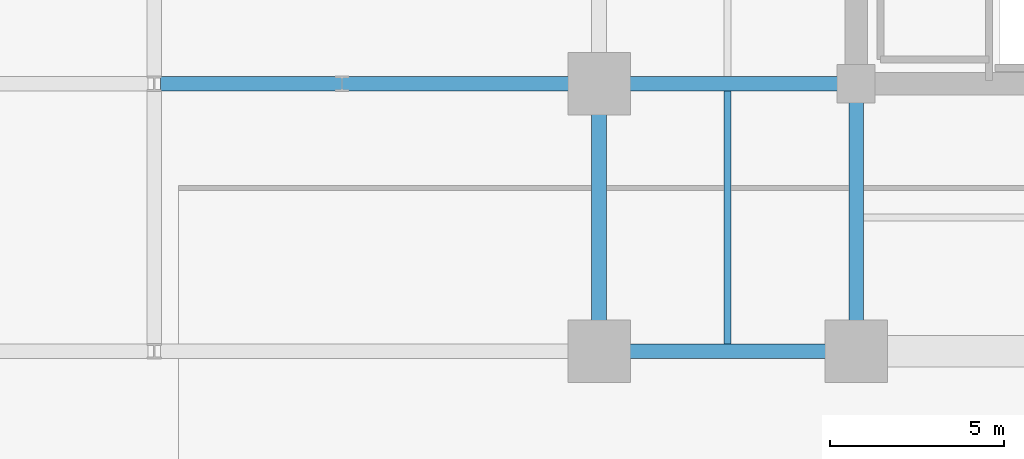
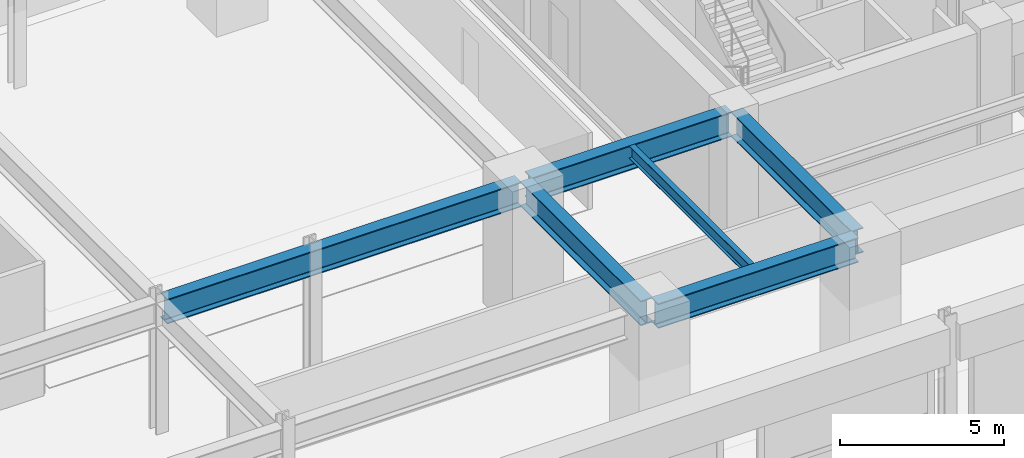
# One storey, part 8 of 43: 6 beams.
"""IFC4 building model written with IfcOpenShell, lengths in metres."""

from ifc_helpers import new_model, si_unit, direction, frame, origin, origin_2d, place, context, subcontext, project, spatial, i_section, extrude, material, material_profile, profile_set, type_object, element, save


model = new_model("IFC4")

# Units and contexts
model_context = context("Model", 3, precision=1e-05, world=origin(), true_north=direction((0.0, 1.0)))
body_context = subcontext(model_context, "Body", "Model", "MODEL_VIEW")
ifc_project = project(units=[si_unit("LENGTHUNIT", "METRE"), si_unit("AREAUNIT", "SQUARE_METRE"), si_unit("VOLUMEUNIT", "CUBIC_METRE"), si_unit("PLANEANGLEUNIT", "RADIAN"), si_unit("MASSUNIT", "GRAM", prefix="KILO")], contexts=[model_context])

# Site, building, storey
site_placement = place(None, origin())
site = spatial("IfcSite", under=ifc_project, at=site_placement, CompositionType="ELEMENT")
building_placement = place(site_placement, origin())
building = spatial("IfcBuilding", under=site, at=building_placement, Name="Kovane Verandah Tower", CompositionType="ELEMENT")
storey_placement = place(building_placement, frame((0.0, 0.0, 11.199951171875)))
storey = spatial("IfcBuildingStorey", under=building, at=storey_placement, Name="L02", CompositionType="ELEMENT", Elevation=11.199951171875)

# Beams
ifc_material_1 = material(Name="Steel S460", Category="steel")
ifc_material_profile_1 = material_profile(ifc_material_1, i_section(OverallWidth=0.42041015625, OverallDepth=0.9208984375, WebThickness=0.021484375, FlangeThickness=0.03662109375, FilletRadius=0.024169921875, at=origin_2d()), Name="UB914x419x388")
ifc_profile_set_1 = profile_set([ifc_material_profile_1], Name="Steel S460")
beam_type_1 = type_object("IfcBeamType", Name="BM-UB914x388", PredefinedType="BEAM", material=ifc_profile_set_1)
beam_1_placement = place(storey_placement, frame((21.780029296875, 10.800048828125, 4.45947265625), z_axis=(1.0, 0.0, 0.0), x_axis=(0.0, 1.0, 0.0)))
element("IfcBeam", 1, at=beam_1_placement, inside=storey, type_object=beam_type_1, Name="L02 Primary Tower Girder G-RS1", PredefinedType="BEAM", context=body_context, shape_type="SweptSolid", body=[
    extrude(i_section(OverallWidth=0.42041015625, OverallDepth=0.9208984375, WebThickness=0.021484375, FlangeThickness=0.03662109375, FilletRadius=0.024169921875, at=origin_2d()), origin(), (0.0, 0.0, 1.0), 7.0400390625),
])
beam_2_placement = place(storey_placement, frame((21.60009765625, 10.97998046875, 4.45947265625), z_axis=(0.0, 1.0, 0.0), x_axis=(-1.0, 0.0, 0.0)))
element("IfcBeam", 2, at=beam_2_placement, inside=storey, type_object=beam_type_1, Name="L02 Primary Tower Girder G-RW1", PredefinedType="BEAM", context=body_context, shape_type="SweptSolid", body=[
    extrude(i_section(OverallWidth=0.42041015625, OverallDepth=0.9208984375, WebThickness=0.021484375, FlangeThickness=0.03662109375, FilletRadius=0.024169921875, at=origin_2d()), origin(), (0.0, 0.0, 1.0), 7.340087890625),
])
beam_3_placement = place(storey_placement, frame((28.820068359375, 18.5, 4.45947265625), z_axis=(-1.0, 0.0, 0.0), x_axis=(0.0, -1.0, 0.0)))
element("IfcBeam", 3, at=beam_3_placement, inside=storey, type_object=beam_type_1, Name="L02 Primary Tower Girder G-W1", PredefinedType="BEAM", context=body_context, shape_type="SweptSolid", body=[
    extrude(i_section(OverallWidth=0.42041015625, OverallDepth=0.9208984375, WebThickness=0.021484375, FlangeThickness=0.03662109375, FilletRadius=0.024169921875, at=origin_2d()), origin(), (0.0, 0.0, 1.0), 7.0400390625),
])
beam_4_placement = place(storey_placement, frame((29.0, 18.320068359375, 4.45947265625), z_axis=(0.0, -1.0, 0.0), x_axis=(1.0, 0.0, 0.0)))
element("IfcBeam", 4, at=beam_4_placement, inside=storey, type_object=beam_type_1, Name="L02 Primary Tower Girder G-S1", PredefinedType="BEAM", context=body_context, shape_type="SweptSolid", body=[
    extrude(i_section(OverallWidth=0.42041015625, OverallDepth=0.9208984375, WebThickness=0.021484375, FlangeThickness=0.03662109375, FilletRadius=0.024169921875, at=origin_2d()), origin(), (0.0, 0.0, 1.0), 7.340087890625),
])
beam_5_placement = place(storey_placement, frame((8.97998046875, 18.5, 4.439453125), z_axis=(1.0, 0.0, 0.0), x_axis=(0.0, 1.0, 0.0)))
element("IfcBeam", 5, at=beam_5_placement, inside=storey, type_object=beam_type_1, Name="L02 Podium Grid Girder X06", PredefinedType="BEAM", context=body_context, shape_type="SweptSolid", body=[
    extrude(i_section(OverallWidth=0.42041015625, OverallDepth=0.9208984375, WebThickness=0.021484375, FlangeThickness=0.03662109375, FilletRadius=0.024169921875, at=origin_2d()), origin(), (0.0, 0.0, 1.0), 12.43994140625),
])
ifc_material_2 = material(Name="Steel S355", Category="steel")
ifc_material_profile_2 = material_profile(ifc_material_2, i_section(OverallWidth=0.19287109375, OverallDepth=0.46728515625, WebThickness=0.011474609375, FlangeThickness=0.01953125, FilletRadius=0.01025390625, at=origin_2d()), Name="UB457x191x98")
ifc_profile_set_2 = profile_set([ifc_material_profile_2], Name="Steel S355")
beam_type_2 = type_object("IfcBeamType", Name="JST-UB457x98", PredefinedType="JOIST", material=ifc_profile_set_2)
beam_6_placement = place(storey_placement, frame((25.300048828125, 11.00830078125, 4.6865234375), z_axis=(0.0, 1.0, 0.0), x_axis=(-1.0, 0.0, 0.0)))
element("IfcBeam", 6, at=beam_6_placement, inside=storey, type_object=beam_type_2, Name="L02 Secondary Composite Joist J-SW1", PredefinedType="JOIST", context=body_context, shape_type="SweptSolid", body=[
    extrude(i_section(OverallWidth=0.19287109375, OverallDepth=0.46728515625, WebThickness=0.011474609375, FlangeThickness=0.01953125, FilletRadius=0.01025390625, at=origin_2d()), origin(), (0.0, 0.0, 1.0), 7.283447265625),
])

save(model, "model.ifc")
